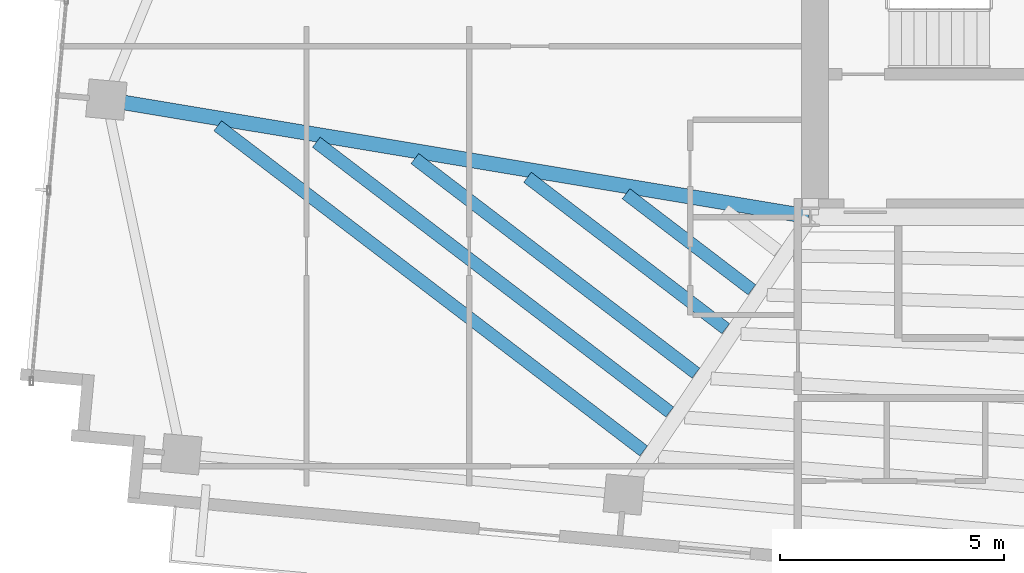
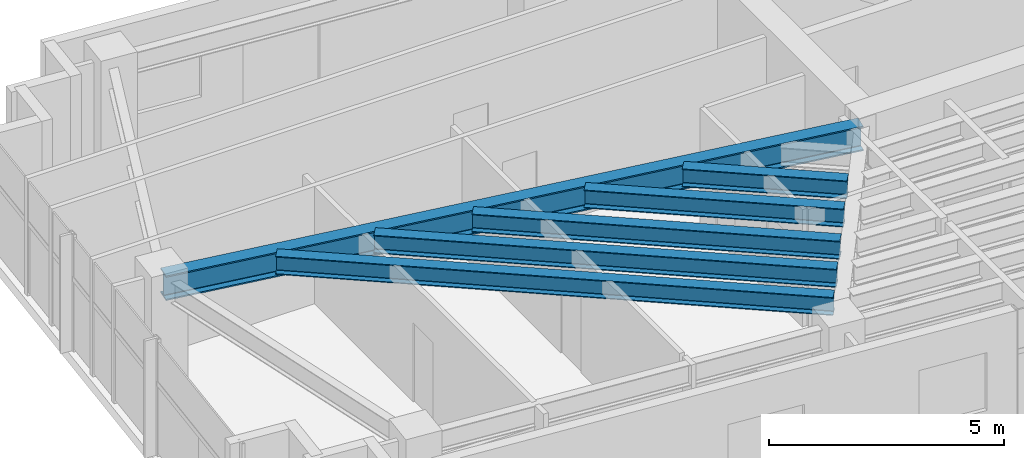
# One storey, part 5 of 22: 6 beams.
"""IFC4 building model written with IfcOpenShell, lengths in metres."""

from ifc_helpers import new_model, si_unit, direction, frame, origin, origin_2d, place, context, subcontext, project, spatial, i_section, extrude, source, transform, mapped, material, material_profile, profile_set, type_object, type_shapes, element, save


model = new_model("IFC4")

# Units and contexts
model_context = context("Model", 3, precision=1e-05, world=origin(), true_north=direction((0.0, 1.0)))
body_context = subcontext(model_context, "Body", "Model", "MODEL_VIEW")
ifc_project = project(units=[si_unit("LENGTHUNIT", "METRE"), si_unit("AREAUNIT", "SQUARE_METRE"), si_unit("VOLUMEUNIT", "CUBIC_METRE"), si_unit("PLANEANGLEUNIT", "RADIAN"), si_unit("MASSUNIT", "GRAM", prefix="KILO")], contexts=[model_context])

# Site, building, storey
site_placement = place(None, origin())
site = spatial("IfcSite", under=ifc_project, at=site_placement, CompositionType="ELEMENT")
building_placement = place(site_placement, origin())
building = spatial("IfcBuilding", under=site, at=building_placement, Name="Astriad Promenade Condominiums", CompositionType="ELEMENT")
storey_placement = place(building_placement, frame((0.0, 0.0, 243.0)))
storey = spatial("IfcBuildingStorey", under=building, at=storey_placement, Name="L70", CompositionType="ELEMENT", Elevation=243.0)

# Beams
ifc_material = material(Name="Steel ASTM A992 Grade 50", Category="steel")
ifc_material_profile_1 = material_profile(ifc_material, i_section(OverallWidth=0.327392578125, OverallDepth=0.640625, WebThickness=0.01904296875, FlangeThickness=0.033935546875, FilletRadius=0.017822265625, at=origin_2d()), Name="W24X176")
ifc_profile_set_1 = profile_set([ifc_material_profile_1], Name="Steel ASTM A992 Grade 50")
beam_type_1 = type_object("IfcBeamType", Name="STEEL FLOOR GIRDER W24X176", PredefinedType="BEAM", material=ifc_profile_set_1)
shared_shape_1 = source(origin(), body_context, "Body", "SweptSolid", [
    extrude(i_section(OverallWidth=0.327392578125, OverallDepth=0.640625, WebThickness=0.01904296875, FlangeThickness=0.033935546875, FilletRadius=0.017822265625, at=origin_2d()), origin(), (0.0, 0.0, 1.0), 15.824462890625),
])
type_shapes(beam_type_1, [shared_shape_1])
beam_1_placement = place(storey_placement, frame((10.750732421875, 20.003662109375, 2.7197265625), z_axis=(0.986439752668, -0.164123777548, 0.0), x_axis=(0.164123777548, 0.986439752668, 0.0)))
element("IfcBeam", 1, at=beam_1_placement, inside=storey, type_object=beam_type_1, Name="Primary Floor Girder PG-WM-L70", PredefinedType="BEAM", context=body_context, shape_type="MappedRepresentation", body=[
    mapped(shared_shape_1, transform((0.0, 0.0, 0.0), scale=1.0)),
])
ifc_material_profile_2 = material_profile(ifc_material, i_section(OverallWidth=0.283203125, OverallDepth=0.47216796875, WebThickness=0.013671875, FlangeThickness=0.022216796875, FilletRadius=0.01513671875, at=origin_2d()), Name="W18X97")
ifc_profile_set_2 = profile_set([ifc_material_profile_2], Name="Steel ASTM A992 Grade 50")
beam_type_2 = type_object("IfcBeamType", Name="STEEL FLOOR JOIST W18X97", PredefinedType="JOIST", material=ifc_profile_set_2)
shared_shape_2 = source(origin(), body_context, "Body", "SweptSolid", [
    extrude(i_section(OverallWidth=0.283203125, OverallDepth=0.47216796875, WebThickness=0.013671875, FlangeThickness=0.022216796875, FilletRadius=0.01513671875, at=origin_2d()), origin(), (0.0, 0.0, 1.0), 11.941162109375),
])
beam_2_placement = place(storey_placement, frame((13.193603515625, 19.426513671875, 2.803955078125), z_axis=(0.794872876153, -0.606775997182, 0.0), x_axis=(0.606775997182, 0.794872876153, 0.0)))
element("IfcBeam", 2, at=beam_2_placement, inside=storey, type_object=beam_type_2, Name="Secondary Composite Floor Joist JW1-1-L70", PredefinedType="JOIST", context=body_context, shape_type="MappedRepresentation", body=[
    mapped(shared_shape_2, transform((0.0, 0.0, 0.0), scale=1.0)),
])
shared_shape_3 = source(origin(), body_context, "Body", "SweptSolid", [
    extrude(i_section(OverallWidth=0.283203125, OverallDepth=0.47216796875, WebThickness=0.013671875, FlangeThickness=0.022216796875, FilletRadius=0.01513671875, at=origin_2d()), origin(), (0.0, 0.0, 1.0), 9.91015625),
])
beam_3_placement = place(storey_placement, frame((15.39013671875, 19.06103515625, 2.803955078125), z_axis=(0.794880580107, -0.606765904916, 0.0), x_axis=(0.606765904916, 0.794880580107, 0.0)))
element("IfcBeam", 3, at=beam_3_placement, inside=storey, type_object=beam_type_2, Name="Secondary Composite Floor Joist JW1-2-L70", PredefinedType="JOIST", context=body_context, shape_type="MappedRepresentation", body=[
    mapped(shared_shape_3, transform((0.0, 0.0, 0.0), scale=1.0)),
])
shared_shape_4 = source(origin(), body_context, "Body", "SweptSolid", [
    extrude(i_section(OverallWidth=0.283203125, OverallDepth=0.47216796875, WebThickness=0.013671875, FlangeThickness=0.022216796875, FilletRadius=0.01513671875, at=origin_2d()), origin(), (0.0, 0.0, 1.0), 7.8798828125),
])
beam_4_placement = place(storey_placement, frame((17.58642578125, 18.69580078125, 2.803955078125), z_axis=(0.794873774806, -0.60677481995, 0.0), x_axis=(0.60677481995, 0.794873774806, 0.0)))
element("IfcBeam", 4, at=beam_4_placement, inside=storey, type_object=beam_type_2, Name="Secondary Composite Floor Joist JW1-3-L70", PredefinedType="JOIST", context=body_context, shape_type="MappedRepresentation", body=[
    mapped(shared_shape_4, transform((0.0, 0.0, 0.0), scale=1.0)),
])
shared_shape_5 = source(origin(), body_context, "Body", "SweptSolid", [
    extrude(i_section(OverallWidth=0.283203125, OverallDepth=0.47216796875, WebThickness=0.013671875, FlangeThickness=0.022216796875, FilletRadius=0.01513671875, at=origin_2d()), origin(), (0.0, 0.0, 1.0), 5.55908203125),
])
beam_5_placement = place(storey_placement, frame((20.0966796875, 18.278076171875, 2.803955078125), z_axis=(0.794874877878, -0.606773374925, 0.0), x_axis=(0.606773374925, 0.794874877878, 0.0)))
element("IfcBeam", 5, at=beam_5_placement, inside=storey, type_object=beam_type_2, Name="Secondary Composite Floor Joist JW1-4-L70", PredefinedType="JOIST", context=body_context, shape_type="MappedRepresentation", body=[
    mapped(shared_shape_5, transform((0.0, 0.0, 0.0), scale=1.0)),
])
shared_shape_6 = source(origin(), body_context, "Body", "SweptSolid", [
    extrude(i_section(OverallWidth=0.283203125, OverallDepth=0.47216796875, WebThickness=0.013671875, FlangeThickness=0.022216796875, FilletRadius=0.01513671875, at=origin_2d()), origin(), (0.0, 0.0, 1.0), 3.5283203125),
])
type_shapes(beam_type_2, [shared_shape_2, shared_shape_3, shared_shape_4, shared_shape_5, shared_shape_6])
beam_6_placement = place(storey_placement, frame((22.293212890625, 17.91259765625, 2.803955078125), z_axis=(0.794864295135, -0.606787238099, 0.0), x_axis=(0.606787238099, 0.794864295135, 0.0)))
element("IfcBeam", 6, at=beam_6_placement, inside=storey, type_object=beam_type_2, Name="Secondary Composite Floor Joist JW1-5-L70", PredefinedType="JOIST", context=body_context, shape_type="MappedRepresentation", body=[
    mapped(shared_shape_6, transform((0.0, 0.0, 0.0), scale=1.0)),
])

save(model, "model.ifc")
